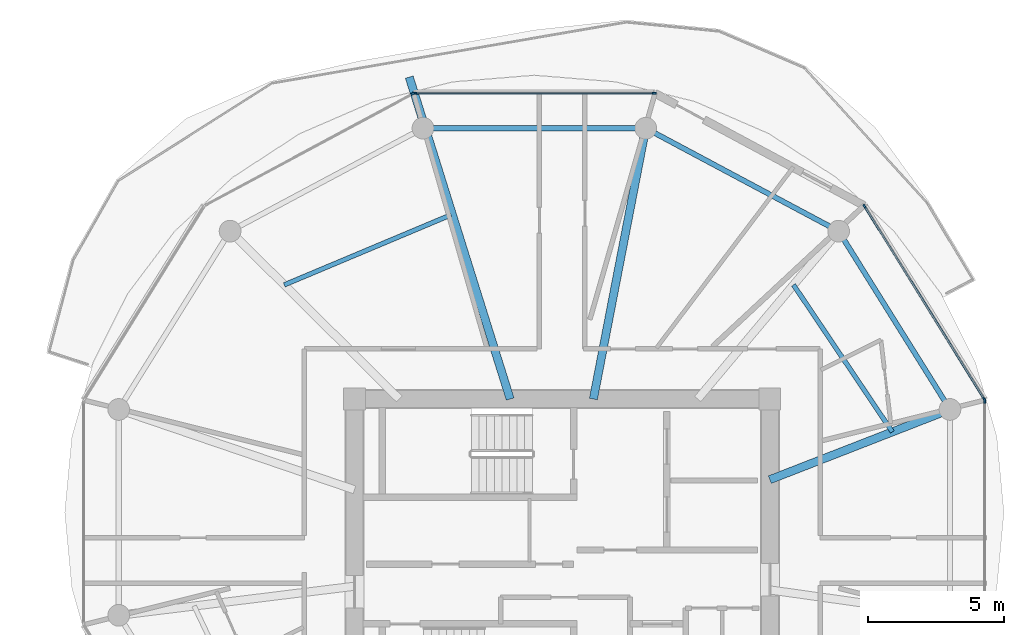
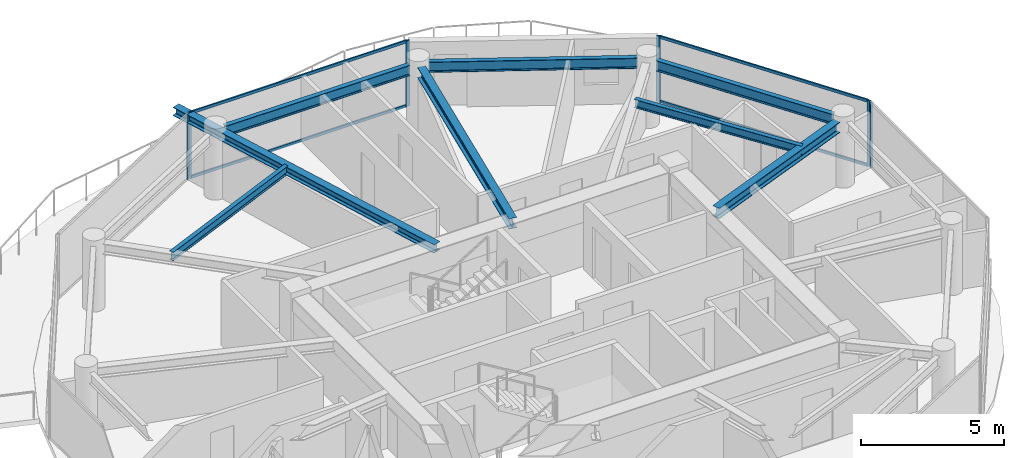
# One storey, part 10 of 22: 10 members, 8 beams, 4 elements without a shape of their own.
"""IFC4 building model written with IfcOpenShell, lengths in metres."""

from ifc_helpers import new_model, si_unit, direction, frame, origin, origin_2d, place, context, subcontext, project, spatial, rectangle, i_section, extrude, source, transform, mapped, material, layer, layer_set, material_profile, profile_set, type_object, type_shapes, element, aggregate, save


model = new_model("IFC4")

# Units and contexts
model_context = context("Model", 3, precision=1e-05, world=origin(), true_north=direction((0.0, 1.0)))
body_context = subcontext(model_context, "Body", "Model", "MODEL_VIEW")
ifc_project = project(units=[si_unit("LENGTHUNIT", "METRE"), si_unit("AREAUNIT", "SQUARE_METRE"), si_unit("VOLUMEUNIT", "CUBIC_METRE"), si_unit("PLANEANGLEUNIT", "RADIAN"), si_unit("MASSUNIT", "GRAM", prefix="KILO")], contexts=[model_context])

# Site, building, storey
site_placement = place(None, origin())
site = spatial("IfcSite", under=ifc_project, at=site_placement, CompositionType="ELEMENT")
building_placement = place(site_placement, origin())
building = spatial("IfcBuilding", under=site, at=building_placement, Name="Norrkilde Senior Care Towers", CompositionType="ELEMENT")
storey_placement = place(building_placement, frame((0.0, 0.0, 180.050048828125)))
storey = spatial("IfcBuildingStorey", under=building, at=storey_placement, Name="L56", CompositionType="ELEMENT", Elevation=180.050048828125)

# Beams
ifc_material_1 = material(Name="Steel S355", Category="steel")
ifc_material_profile_1 = material_profile(ifc_material_1, i_section(OverallWidth=0.18994140625, OverallDepth=0.449951171875, WebThickness=0.009521484375, FlangeThickness=0.0146484375, FilletRadius=0.02099609375, at=origin_2d()), Name="IPE 450")
ifc_profile_set_1 = profile_set([ifc_material_profile_1], Name="Steel S355")
beam_type_1 = type_object("IfcBeamType", Name="Perimeter Ring Spandrel Z3 IPE450", PredefinedType="SPANDREL", material=ifc_profile_set_1)
shared_shape_1 = source(origin(), body_context, "Body", "SweptSolid", [
    extrude(i_section(OverallWidth=0.18994140625, OverallDepth=0.449951171875, WebThickness=0.009521484375, FlangeThickness=0.0146484375, FilletRadius=0.02099609375, at=origin_2d()), origin(), (0.0, 0.0, 1.0), 7.0234375),
])
beam_1_placement = place(storey_placement, frame((42.09423828125, 5.872314453125, 2.5849609375), z_axis=(-0.529789577822, 0.848129119433, 0.0), x_axis=(-0.848129119433, -0.529789577822, 0.0)))
element("IfcBeam", 1, at=beam_1_placement, inside=storey, type_object=beam_type_1, Name="L56 Drum E Perimeter Spandrel 01", PredefinedType="SPANDREL", context=body_context, shape_type="MappedRepresentation", body=[
    mapped(shared_shape_1, transform((0.0, 0.0, 0.0), x_axis=(1.0, 0.0, 0.0), y_axis=(0.0, 1.0, 0.0), z_axis=(0.0, 0.0, 1.0), scale=1.0)),
])
shared_shape_2 = source(origin(), body_context, "Body", "SweptSolid", [
    extrude(i_section(OverallWidth=0.18994140625, OverallDepth=0.449951171875, WebThickness=0.009521484375, FlangeThickness=0.0146484375, FilletRadius=0.02099609375, at=origin_2d()), origin(), (0.0, 0.0, 1.0), 7.333740234375),
])
beam_2_placement = place(storey_placement, frame((37.864990234375, 12.303955078125, 2.5849609375), z_axis=(-0.882247866069, 0.470785198172, 0.0), x_axis=(-0.470785198172, -0.882247866069, 0.0)))
element("IfcBeam", 2, at=beam_2_placement, inside=storey, type_object=beam_type_1, Name="L56 Drum E Perimeter Spandrel 02", PredefinedType="SPANDREL", context=body_context, shape_type="MappedRepresentation", body=[
    mapped(shared_shape_2, transform((0.0, 0.0, 0.0), x_axis=(1.0, 0.0, 0.0), y_axis=(0.0, 1.0, 0.0), z_axis=(0.0, 0.0, 1.0), scale=1.0)),
])
shared_shape_3 = source(origin(), body_context, "Body", "SweptSolid", [
    extrude(i_section(OverallWidth=0.18994140625, OverallDepth=0.449951171875, WebThickness=0.009521484375, FlangeThickness=0.0146484375, FilletRadius=0.02099609375, at=origin_2d()), origin(), (0.0, 0.0, 1.0), 7.484619140625),
])
type_shapes(beam_type_1, [shared_shape_1, shared_shape_2, shared_shape_3])
beam_3_placement = place(storey_placement, frame((30.71728515625, 15.92626953125, 2.5849609375), z_axis=(-1.0, 0.0, 0.0), x_axis=(0.0, -1.0, 0.0)))
element("IfcBeam", 3, at=beam_3_placement, inside=storey, type_object=beam_type_1, Name="L56 Drum E Perimeter Spandrel 03", PredefinedType="SPANDREL", context=body_context, shape_type="MappedRepresentation", body=[
    mapped(shared_shape_3, transform((0.0, 0.0, 0.0), x_axis=(1.0, 0.0, 0.0), y_axis=(0.0, 1.0, 0.0), z_axis=(0.0, 0.0, 1.0), scale=1.0)),
])
ifc_material_profile_2 = material_profile(ifc_material_1, i_section(OverallWidth=0.300048828125, OverallDepth=0.449951171875, WebThickness=0.013916015625, FlangeThickness=0.02587890625, FilletRadius=0.027099609375, at=origin_2d()), Name="HEB 450")
ifc_profile_set_2 = profile_set([ifc_material_profile_2], Name="Steel S355")
beam_type_2 = type_object("IfcBeamType", Name="Radial Floor Beam Z3 HEB450", PredefinedType="BEAM", material=ifc_profile_set_2)
shared_shape_4 = source(origin(), body_context, "Body", "SweptSolid", [
    extrude(i_section(OverallWidth=0.300048828125, OverallDepth=0.449951171875, WebThickness=0.013916015625, FlangeThickness=0.02587890625, FilletRadius=0.027099609375, at=origin_2d()), origin(), (0.0, 0.0, 1.0), 9.80078125),
])
beam_4_placement = place(storey_placement, frame((29.149658203125, 5.949951171875, 2.5849609375), z_axis=(0.189716727661, 0.98183886827, 0.0), x_axis=(-0.98183886827, 0.189716727661, 0.0)))
element("IfcBeam", 4, at=beam_4_placement, inside=storey, type_object=beam_type_2, Name="L56 Drum E Radial Floor Beam 03", PredefinedType="BEAM", context=body_context, shape_type="MappedRepresentation", body=[
    mapped(shared_shape_4, transform((0.0, 0.0, 0.0), x_axis=(1.0, 0.0, 0.0), y_axis=(0.0, 1.0, 0.0), z_axis=(0.0, 0.0, 1.0), scale=1.0)),
])
shared_shape_5 = source(origin(), body_context, "Body", "SweptSolid", [
    extrude(i_section(OverallWidth=0.300048828125, OverallDepth=0.449951171875, WebThickness=0.013916015625, FlangeThickness=0.02587890625, FilletRadius=0.027099609375, at=origin_2d()), origin(), (0.0, 0.0, 1.0), 6.760986328125),
])
type_shapes(beam_type_2, [shared_shape_4, shared_shape_5])
beam_5_placement = place(storey_placement, frame((35.64990234375, 2.981201171875, 2.5849609375), z_axis=(0.931742171387, 0.363120539297, 0.0), x_axis=(-0.363120539297, 0.931742171387, 0.0)))
element("IfcBeam", 5, at=beam_5_placement, inside=storey, type_object=beam_type_2, Name="L56 Drum E Radial Floor Beam 01", PredefinedType="BEAM", context=body_context, shape_type="MappedRepresentation", body=[
    mapped(shared_shape_5, transform((0.0, 0.0, 0.0), x_axis=(1.0, 0.0, 0.0), y_axis=(0.0, 1.0, 0.0), z_axis=(0.0, 0.0, 1.0), scale=1.0)),
])
ifc_material_profile_3 = material_profile(ifc_material_1, i_section(OverallWidth=0.169921875, OverallDepth=0.360107421875, WebThickness=0.008056640625, FlangeThickness=0.0126953125, FilletRadius=0.01806640625, at=origin_2d()), Name="IPE 360")
ifc_profile_set_3 = profile_set([ifc_material_profile_3], Name="Steel S355")
beam_type_3 = type_object("IfcBeamType", Name="Secondary Floor Joist IPE360", PredefinedType="JOIST", material=ifc_profile_set_3)
shared_shape_6 = source(origin(), body_context, "Body", "SweptSolid", [
    extrude(i_section(OverallWidth=0.169921875, OverallDepth=0.360107421875, WebThickness=0.008056640625, FlangeThickness=0.0126953125, FilletRadius=0.01806640625, at=origin_2d()), origin(), (0.0, 0.0, 1.0), 6.657470703125),
])
beam_6_placement = place(storey_placement, frame((23.900390625, 12.73388671875, 2.6298828125), z_axis=(-0.921958799252, -0.387287971, 0.0), x_axis=(0.387287971, -0.921958799252, 0.0)))
element("IfcBeam", 6, at=beam_6_placement, inside=storey, type_object=beam_type_3, Name="L56 Drum E Secondary Floor Joist 2", PredefinedType="JOIST", context=body_context, shape_type="MappedRepresentation", body=[
    mapped(shared_shape_6, transform((0.0, 0.0, 0.0), x_axis=(1.0, 0.0, 0.0), y_axis=(0.0, 1.0, 0.0), z_axis=(0.0, 0.0, 1.0), scale=1.0)),
])
shared_shape_7 = source(origin(), body_context, "Body", "SweptSolid", [
    extrude(i_section(OverallWidth=0.169921875, OverallDepth=0.360107421875, WebThickness=0.008056640625, FlangeThickness=0.0126953125, FilletRadius=0.01806640625, at=origin_2d()), origin(), (0.0, 0.0, 1.0), 6.525390625),
])
type_shapes(beam_type_3, [shared_shape_6, shared_shape_7])
beam_7_placement = place(storey_placement, frame((40.161865234375, 4.739501953125, 2.6298828125), z_axis=(-0.55779590102, 0.829978152005, 0.0), x_axis=(-0.829978152005, -0.55779590102, 0.0)))
element("IfcBeam", 7, at=beam_7_placement, inside=storey, type_object=beam_type_3, Name="L56 Drum E Secondary Floor Joist 1", PredefinedType="JOIST", context=body_context, shape_type="MappedRepresentation", body=[
    mapped(shared_shape_7, transform((0.0, 0.0, 0.0), x_axis=(1.0, 0.0, 0.0), y_axis=(0.0, 1.0, 0.0), z_axis=(0.0, 0.0, 1.0), scale=1.0)),
])
ifc_material_profile_4 = material_profile(ifc_material_1, i_section(OverallWidth=0.300048828125, OverallDepth=0.360107421875, WebThickness=0.012451171875, FlangeThickness=0.0224609375, FilletRadius=0.027099609375, at=origin_2d()), Name="HEB 360")
ifc_profile_set_4 = profile_set([ifc_material_profile_4], Name="Steel S355")
beam_type_4 = type_object("IfcBeamType", Name="Balcony Crest Cantilever Rib HEB360", PredefinedType="BEAM", material=ifc_profile_set_4)
shared_shape_8 = source(origin(), body_context, "Body", "SweptSolid", [
    extrude(i_section(OverallWidth=0.300048828125, OverallDepth=0.360107421875, WebThickness=0.012451171875, FlangeThickness=0.0224609375, FilletRadius=0.027099609375, at=origin_2d()), origin(), (0.0, 0.0, 1.0), 12.428466796875),
])
type_shapes(beam_type_4, [shared_shape_8])
beam_8_placement = place(storey_placement, frame((26.08447265625, 5.949951171875, 2.6298828125), z_axis=(-0.299033236562, 0.954242696295, 0.0), x_axis=(-0.954242696295, -0.299033236562, 0.0)))
element("IfcBeam", 8, at=beam_8_placement, inside=storey, type_object=beam_type_4, Name="L56 Drum E Balcony Cantilever Rib", PredefinedType="BEAM", context=body_context, shape_type="MappedRepresentation", body=[
    mapped(shared_shape_8, transform((0.0, 0.0, 0.0), x_axis=(1.0, 0.0, 0.0), y_axis=(0.0, 1.0, 0.0), z_axis=(0.0, 0.0, 1.0), scale=1.0)),
])

# Curtain wall, members
ifc_material_2 = material(Name="Triple Low-E Insulated Glazing", Category="glass")
ifc_layer = layer(ifc_material_2, 0.18994140625)
ifc_layer_set = layer_set([ifc_layer], Name="Triple Low-E Insulated Glazing")
curtain_wall_type = type_object("IfcCurtainWallType", Name="CW4 Zone 3 Senior Residence Curtain Wall", PredefinedType="NOTDEFINED", material=ifc_layer_set)
curtain_wall_1_placement = place(storey_placement, origin())
curtain_wall_1 = element("IfcCurtainWall", 9, at=curtain_wall_1_placement, inside=storey, type_object=curtain_wall_type, Name="L56 Drum E Curtain Wall 00", PredefinedType="NOTDEFINED")
ifc_material_3 = material(Name="Anodised Aluminium", Category="aluminium")
ifc_material_profile_5 = material_profile(ifc_material_3, rectangle(XDim=0.06494140625, YDim=0.14990234375, at=origin_2d()), Name="ALU MULL 65x150")
ifc_profile_set_5 = profile_set([ifc_material_profile_5], Name="Anodised Aluminium")
member_type_1 = type_object("IfcMemberType", Name="Curtain Wall Mullion Z3-Z4 65x150", PredefinedType="MULLION", material=ifc_profile_set_5)
shared_shape_9 = source(origin(), body_context, "Body", "SweptSolid", [
    extrude(rectangle(XDim=0.06494140625, YDim=0.14990234375, at=origin_2d()), origin(), (0.0, 0.0, 1.0), 2.81005859375),
])
type_shapes(member_type_1, [shared_shape_9])
member_1_placement = place(storey_placement, frame((39.14013671875, 13.04736328125, 0.0), z_axis=(0.0, 0.0, 1.0), x_axis=(0.84963405474, 0.52737270789, 0.0)))
member_1 = element("IfcMember", 10, at=member_1_placement, type_object=member_type_1, Name="CW-4 mullion 1", PredefinedType="MULLION", context=body_context, shape_type="MappedRepresentation", body=[
    mapped(shared_shape_9, transform((0.0, 0.0, 0.0), x_axis=(1.0, 0.0, 0.0), y_axis=(0.0, 1.0, 0.0), z_axis=(0.0, 0.0, 1.0), scale=1.0)),
])
member_2_placement = place(storey_placement, frame((43.552490234375, 5.93896484375, 0.0), z_axis=(0.0, 0.0, 1.0), x_axis=(0.84963405474, 0.52737270789, 0.0)))
member_2 = element("IfcMember", 11, at=member_2_placement, type_object=member_type_1, Name="CW-4 mullion 2", PredefinedType="MULLION", context=body_context, shape_type="MappedRepresentation", body=[
    mapped(shared_shape_9, transform((0.0, 0.0, 0.0), x_axis=(1.0, 0.0, 0.0), y_axis=(0.0, 1.0, 0.0), z_axis=(0.0, 0.0, 1.0), scale=1.0)),
])

curtain_wall_2_placement = place(storey_placement, origin())
curtain_wall_2 = element("IfcCurtainWall", 12, at=curtain_wall_2_placement, inside=storey, type_object=curtain_wall_type, Name="L56 Drum E Curtain Wall 02", PredefinedType="NOTDEFINED")
member_3_placement = place(storey_placement, frame((22.56103515625, 17.2109375, 0.0), z_axis=(0.0, 0.0, 1.0), x_axis=(0.0, 1.0, 0.0)))
member_3 = element("IfcMember", 13, at=member_3_placement, type_object=member_type_1, Name="CW-4 mullion 1", PredefinedType="MULLION", context=body_context, shape_type="MappedRepresentation", body=[
    mapped(shared_shape_9, transform((0.0, 0.0, 0.0), x_axis=(1.0, 0.0, 0.0), y_axis=(0.0, 1.0, 0.0), z_axis=(0.0, 0.0, 1.0), scale=1.0)),
])
member_4_placement = place(storey_placement, frame((31.388916015625, 17.2109375, 0.0), z_axis=(0.0, 0.0, 1.0), x_axis=(0.0, 1.0, 0.0)))
member_4 = element("IfcMember", 14, at=member_4_placement, type_object=member_type_1, Name="CW-4 mullion 2", PredefinedType="MULLION", context=body_context, shape_type="MappedRepresentation", body=[
    mapped(shared_shape_9, transform((0.0, 0.0, 0.0), x_axis=(1.0, 0.0, 0.0), y_axis=(0.0, 1.0, 0.0), z_axis=(0.0, 0.0, 1.0), scale=1.0)),
])

# Curtain wall, member
curtain_wall_3_placement = place(storey_placement, origin())
curtain_wall_3 = element("IfcCurtainWall", 15, at=curtain_wall_3_placement, inside=storey, type_object=curtain_wall_type, Name="L56 Drum E Curtain Wall 03", PredefinedType="NOTDEFINED")
member_5_placement = place(storey_placement, frame((22.499755859375, 17.195556640625, 0.0), z_axis=(0.0, 0.0, 1.0), x_axis=(-0.47311715104, 0.880999524059, 0.0)))
member_5 = element("IfcMember", 16, at=member_5_placement, type_object=member_type_1, Name="CW-4 mullion 2", PredefinedType="MULLION", context=body_context, shape_type="MappedRepresentation", body=[
    mapped(shared_shape_9, transform((0.0, 0.0, 0.0), x_axis=(1.0, 0.0, 0.0), y_axis=(0.0, 1.0, 0.0), z_axis=(0.0, 0.0, 1.0), scale=1.0)),
])
aggregate(curtain_wall_3, [member_5])

curtain_wall_4_placement = place(storey_placement, origin())
curtain_wall_4 = element("IfcCurtainWall", 17, at=curtain_wall_4_placement, inside=storey, type_object=curtain_wall_type, Name="L56 Drum E Curtain Wall 11", PredefinedType="NOTDEFINED")
member_6_placement = place(storey_placement, frame((43.569580078125, 5.878662109375, 0.0), z_axis=(0.0, 0.0, 1.0), x_axis=(1.0, 0.0, 0.0)))
member_6 = element("IfcMember", 18, at=member_6_placement, type_object=member_type_1, Name="CW-4 mullion 1", PredefinedType="MULLION", context=body_context, shape_type="MappedRepresentation", body=[
    mapped(shared_shape_9, transform((0.0, 0.0, 0.0), x_axis=(1.0, 0.0, 0.0), y_axis=(0.0, 1.0, 0.0), z_axis=(0.0, 0.0, 1.0), scale=1.0)),
])
aggregate(curtain_wall_4, [member_6])

# Member
ifc_material_profile_6 = material_profile(ifc_material_3, rectangle(XDim=0.06005859375, YDim=0.1201171875, at=origin_2d()), Name="ALU TRAN 60x120")
ifc_profile_set_6 = profile_set([ifc_material_profile_6], Name="Anodised Aluminium")
member_type_2 = type_object("IfcMemberType", Name="Curtain Wall Transom Typical 60x120", PredefinedType="USERDEFINED", material=ifc_profile_set_6)
shared_shape_10 = source(origin(), body_context, "Body", "SweptSolid", [
    extrude(rectangle(XDim=0.06005859375, YDim=0.1201171875, at=origin_2d()), origin(), (0.0, 0.0, 1.0), 8.301513671875),
])
member_7_placement = place(storey_placement, frame((39.157470703125, 13.019775390625, 0.030029296875), z_axis=(0.527368718394, -0.849636531029, 0.0), x_axis=(0.849636531029, 0.527368718394, 0.0)))
member_7 = element("IfcMember", 19, at=member_7_placement, type_object=member_type_2, Name="CW-4 transom 1.1", ObjectType="TRANSOM", PredefinedType="USERDEFINED", context=body_context, shape_type="MappedRepresentation", body=[
    mapped(shared_shape_10, transform((0.0, 0.0, 0.0), x_axis=(1.0, 0.0, 0.0), y_axis=(0.0, 1.0, 0.0), z_axis=(0.0, 0.0, 1.0), scale=1.0)),
])

member_8_placement = place(storey_placement, frame((39.157470703125, 13.019775390625, 2.780029296875), z_axis=(0.527368718394, -0.849636531029, 0.0), x_axis=(0.849636531029, 0.527368718394, 0.0)))
member_8 = element("IfcMember", 20, at=member_8_placement, type_object=member_type_2, Name="CW-4 transom 1.2", ObjectType="TRANSOM", PredefinedType="USERDEFINED", context=body_context, shape_type="MappedRepresentation", body=[
    mapped(shared_shape_10, transform((0.0, 0.0, 0.0), x_axis=(1.0, 0.0, 0.0), y_axis=(0.0, 1.0, 0.0), z_axis=(0.0, 0.0, 1.0), scale=1.0)),
])

aggregate(curtain_wall_1, [member_1, member_2, member_7, member_8])

shared_shape_11 = source(origin(), body_context, "Body", "SweptSolid", [
    extrude(rectangle(XDim=0.06005859375, YDim=0.1201171875, at=origin_2d()), origin(), (0.0, 0.0, 1.0), 8.762939453125),
])
type_shapes(member_type_2, [shared_shape_10, shared_shape_11])
member_9_placement = place(storey_placement, frame((22.593505859375, 17.2109375, 0.030029296875), z_axis=(1.0, 0.0, 0.0), x_axis=(0.0, 1.0, 0.0)))
member_9 = element("IfcMember", 21, at=member_9_placement, type_object=member_type_2, Name="CW-4 transom 1.1", ObjectType="TRANSOM", PredefinedType="USERDEFINED", context=body_context, shape_type="MappedRepresentation", body=[
    mapped(shared_shape_11, transform((0.0, 0.0, 0.0), x_axis=(1.0, 0.0, 0.0), y_axis=(0.0, 1.0, 0.0), z_axis=(0.0, 0.0, 1.0), scale=1.0)),
])

member_10_placement = place(storey_placement, frame((22.593505859375, 17.2109375, 2.780029296875), z_axis=(1.0, 0.0, 0.0), x_axis=(0.0, 1.0, 0.0)))
member_10 = element("IfcMember", 22, at=member_10_placement, type_object=member_type_2, Name="CW-4 transom 1.2", ObjectType="TRANSOM", PredefinedType="USERDEFINED", context=body_context, shape_type="MappedRepresentation", body=[
    mapped(shared_shape_11, transform((0.0, 0.0, 0.0), x_axis=(1.0, 0.0, 0.0), y_axis=(0.0, 1.0, 0.0), z_axis=(0.0, 0.0, 1.0), scale=1.0)),
])

aggregate(curtain_wall_2, [member_3, member_4, member_9, member_10])

save(model, "model.ifc")
